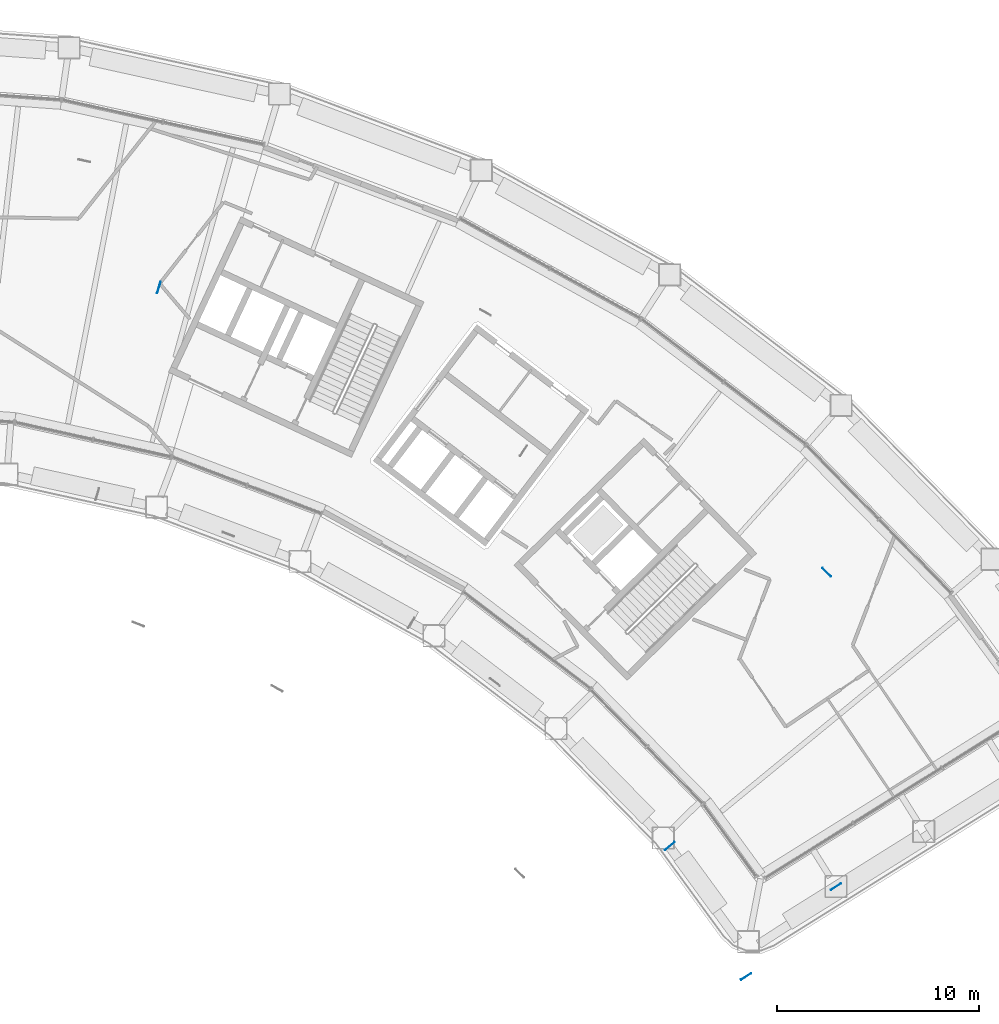
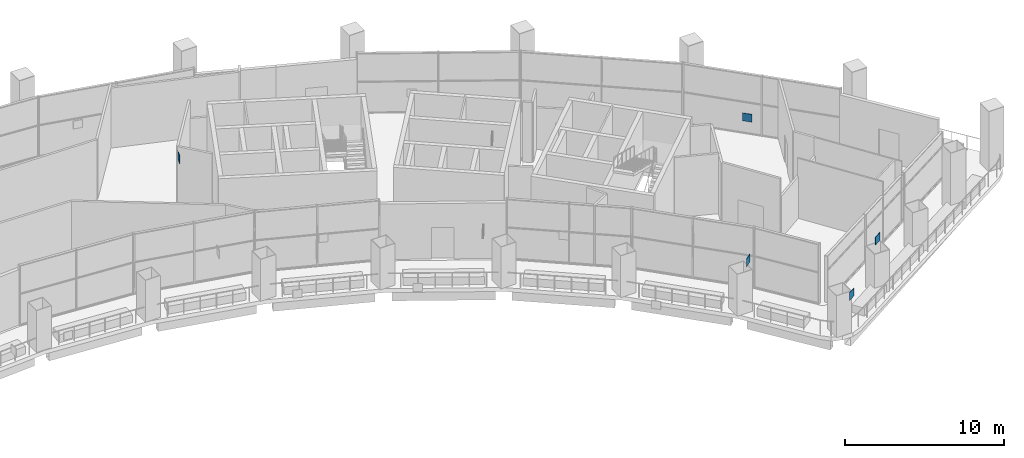
# One storey, part 24 of 28: 5 discrete accessories.
"""IFC4 building model written with IfcOpenShell, lengths in metres."""

from ifc_helpers import new_model, si_unit, direction, frame, origin, origin_2d, place, context, subcontext, project, spatial, rectangle, extrude, material, type_object, element, save


model = new_model("IFC4")

# Units and contexts
model_context = context("Model", 3, precision=1e-05, world=origin(), true_north=direction((0.0, 1.0)))
body_context = subcontext(model_context, "Body", "Model", "MODEL_VIEW")
ifc_project = project(units=[si_unit("LENGTHUNIT", "METRE"), si_unit("AREAUNIT", "SQUARE_METRE"), si_unit("VOLUMEUNIT", "CUBIC_METRE"), si_unit("PLANEANGLEUNIT", "RADIAN"), si_unit("MASSUNIT", "GRAM", prefix="KILO")], contexts=[model_context])

# Site, building, storey
site_placement = place(None, origin())
site = spatial("IfcSite", under=ifc_project, at=site_placement, CompositionType="ELEMENT")
building_placement = place(site_placement, origin())
building = spatial("IfcBuilding", under=site, at=building_placement, Name="Tuul Gate Civic Tower", CompositionType="ELEMENT")
storey_placement = place(building_placement, frame((0.0, 0.0, 128.699951171875)))
storey = spatial("IfcBuildingStorey", under=building, at=storey_placement, Name="Sky garden level 1", CompositionType="ELEMENT", Elevation=128.699951171875)

# Discrete accessories
ifc_material = material(Name="Steel S355", Category="steel")
discrete_accessory_type = type_object("IfcDiscreteAccessoryType", Name="Gusset plate", PredefinedType="BRACKET", material=ifc_material)
for number, where, z_axis, x_axis, name in (
    (1, (50.238525390625, -26.638427734375, 3.59716796875), (0.0, 0.0, 1.0), (0.76282474496, 0.646605295738, 0.0), "Gusset plate"),
    (2, (24.9267578125, 1.039794921875, 3.5966796875), (0.0, 0.0, 1.0), (0.285212112775, 0.958464423297, 0.0), "Gusset plate"),
    (3, (58.009033203125, -13.071533203125, 3.5966796875), (0.0, 0.0, 1.0), (0.700000236809, -0.714142610735, 0.0), "Gusset plate"),
    (4, (58.471923828125, -28.64599609375, 3.5966796875), (0.0, 0.0, 1.0), (0.846187288195, 0.532885609956, 0.0), "Gusset plate"),
    (5, (54.01708984375, -33.10009765625, 3.5966796875), (0.0, 0.0, 1.0), (0.84627513954, 0.532746082291, 0.0), "Gusset plate"),
):
    element("IfcDiscreteAccessory", number, at=place(storey_placement, frame(where, z_axis=z_axis, x_axis=x_axis)), inside=storey, type_object=discrete_accessory_type, Name=name, PredefinedType="BRACKET", context=body_context, shape_type="SweptSolid", body=[
        extrude(rectangle(XDim=0.60009765625, YDim=0.030029296875, at=origin_2d()), origin(), (0.0, 0.0, 1.0), 0.60009765625),
    ])

save(model, "model.ifc")
